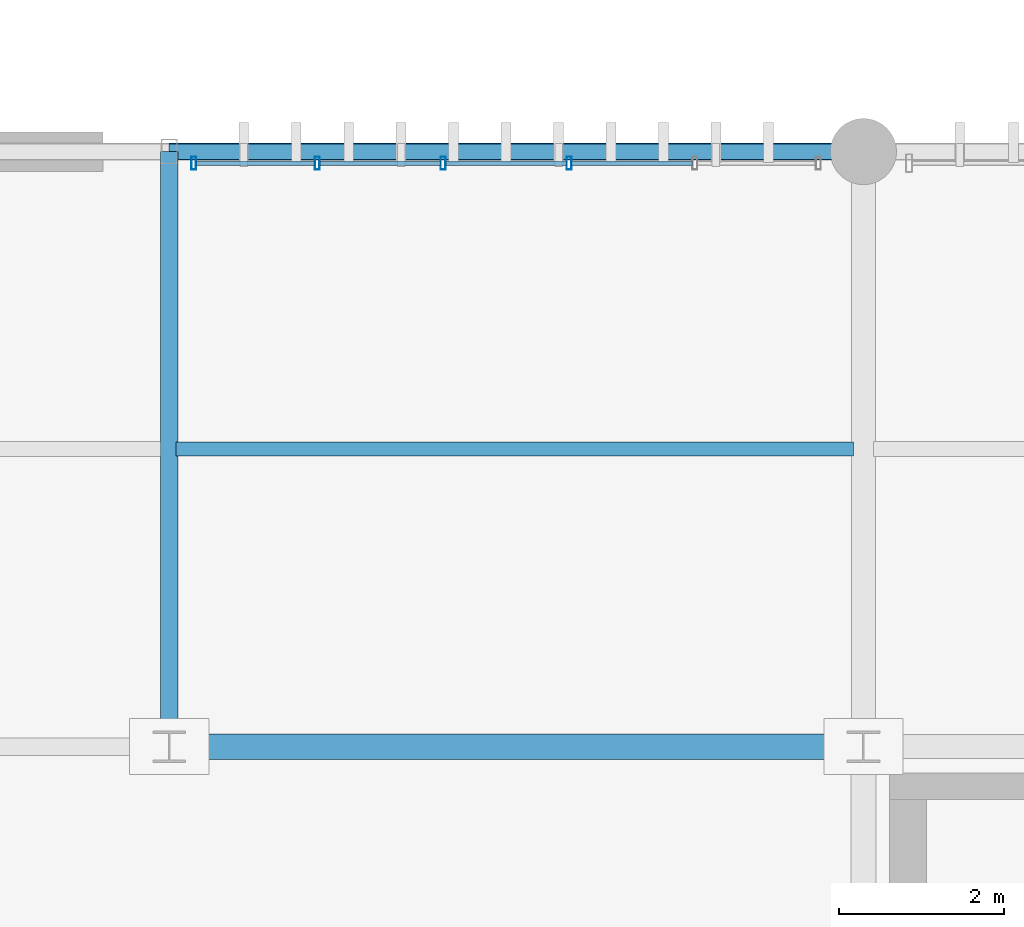
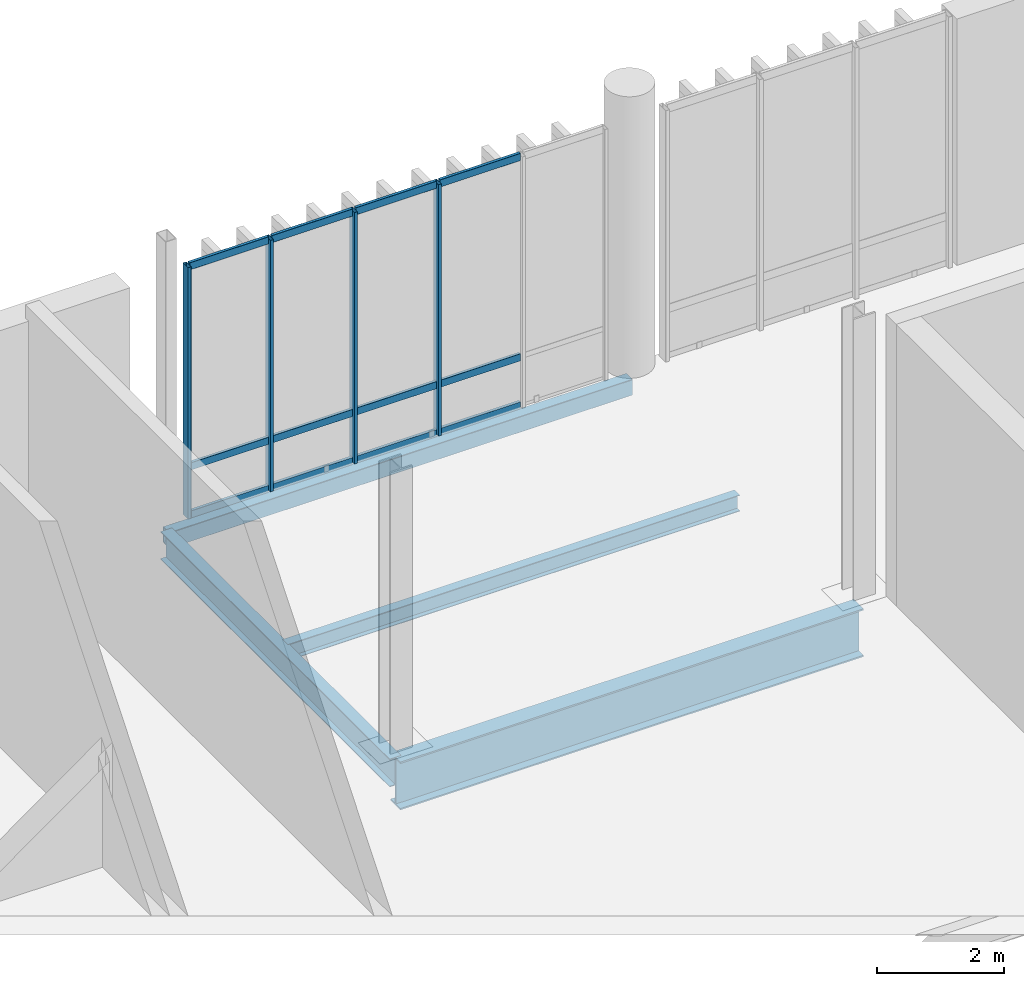
# One storey, part 50 of 112: 16 members, 4 beams, 1 element without a shape of its own.
"""IFC4 building model written with IfcOpenShell, lengths in metres."""

from ifc_helpers import new_model, si_unit, direction, frame, origin_with_axes, origin_2d_with_axis, place, context, subcontext, project, spatial, hollow_rectangle, i_section, extrude, material, material_profile, profile_set, type_object, element, aggregate, save


model = new_model("IFC4")

# Units and contexts
model_context = context("Model", 3, precision=1e-05, world=origin_with_axes(), true_north=direction((0.0, 1.0)))
body_context = subcontext(model_context, "Body", "Model", "MODEL_VIEW")
ifc_project = project(units=[si_unit("LENGTHUNIT", "METRE"), si_unit("AREAUNIT", "SQUARE_METRE"), si_unit("VOLUMEUNIT", "CUBIC_METRE"), si_unit("PLANEANGLEUNIT", "RADIAN"), si_unit("MASSUNIT", "GRAM", prefix="KILO"), si_unit("THERMODYNAMICTEMPERATUREUNIT", "KELVIN")], contexts=[model_context])

# Site, building, storey
site_placement = place(None, origin_with_axes())
site = spatial("IfcSite", under=ifc_project, at=site_placement, CompositionType="ELEMENT")
building_placement = place(site_placement, origin_with_axes())
building = spatial("IfcBuilding", under=site, at=building_placement, Name="Montbau Bow Law Courts", CompositionType="ELEMENT")
storey_placement = place(building_placement, origin_with_axes())
storey = spatial("IfcBuildingStorey", under=building, at=storey_placement, Name="L00", CompositionType="ELEMENT", Elevation=0.0)

# Beams
ifc_material_1 = material(Name="Steel CSA G40.21 Grade 350W (350 MPa)", Category="steel")
ifc_material_profile_1 = material_profile(ifc_material_1, i_section(OverallWidth=0.306, OverallDepth=0.919, WebThickness=0.0173, FlangeThickness=0.0279, at=origin_2d_with_axis()), Name="W920X253", Category="Main", Priority=0)
ifc_profile_set_1 = profile_set([ifc_material_profile_1], Name="Steel CSA G40.21 Grade 350W (350 MPa)")
beam_type_1 = type_object("IfcBeamType", Name="B-FLR-01", PredefinedType="BEAM", material=ifc_profile_set_1)
beam_1_placement = place(None, frame((72.0, 54.6, -0.7), z_axis=(1.0, 0.0, 0.0), x_axis=(0.0, 1.0, 0.0)))
element("IfcBeam", 1, at=beam_1_placement, inside=storey, type_object=beam_type_1, Name="BM-L00-S0217:bm2_0220", PredefinedType="BEAM", context=body_context, shape_type="SweptSolid", body=[
    extrude(i_section(OverallWidth=0.306, OverallDepth=0.919, WebThickness=0.0173, FlangeThickness=0.0279, at=origin_2d_with_axis()), origin_with_axes(), (0.0, 0.0, 1.0), 8.4),
])
ifc_material_profile_2 = material_profile(ifc_material_1, i_section(OverallWidth=0.21, OverallDepth=0.537, WebThickness=0.0109, FlangeThickness=0.0174, at=origin_2d_with_axis()), Name="W530X101", Category="Main", Priority=0)
ifc_profile_set_2 = profile_set([ifc_material_profile_2], Name="Steel CSA G40.21 Grade 350W (350 MPa)")
beam_type_2 = type_object("IfcBeamType", Name="B-FLR-06", PredefinedType="BEAM", material=ifc_profile_set_2)
beam_2_placement = place(None, frame((72.0, 54.6, -0.508), z_axis=(0.0, 1.0, 0.0), x_axis=(-1.0, 0.0, 0.0)))
element("IfcBeam", 2, at=beam_2_placement, inside=storey, type_object=beam_type_2, Name="BM-L00-S0292:bm2_0295", PredefinedType="BEAM", context=body_context, shape_type="SweptSolid", body=[
    extrude(i_section(OverallWidth=0.21, OverallDepth=0.537, WebThickness=0.0109, FlangeThickness=0.0174, at=origin_2d_with_axis()), origin_with_axes(), (0.0, 0.0, 1.0), 7.2),
])
ifc_material_profile_3 = material_profile(ifc_material_1, i_section(OverallWidth=0.166, OverallDepth=0.313, WebThickness=0.0066, FlangeThickness=0.0112, at=origin_2d_with_axis()), Name="W310X45", Category="Main", Priority=0)
ifc_profile_set_3 = profile_set([ifc_material_profile_3], Name="Steel CSA G40.21 Grade 350W (350 MPa)")
beam_type_3 = type_object("IfcBeamType", Name="B-JST-04", PredefinedType="JOIST", material=ifc_profile_set_3)
beam_3_placement = place(None, frame((72.081, 58.2, -0.396), z_axis=(1.0, 0.0, 0.0), x_axis=(0.0, 1.0, 0.0)))
element("IfcBeam", 3, at=beam_3_placement, inside=storey, type_object=beam_type_3, Name="JST-L00-S0079:jst2_0079", PredefinedType="JOIST", context=body_context, shape_type="SweptSolid", body=[
    extrude(i_section(OverallWidth=0.166, OverallDepth=0.313, WebThickness=0.0066, FlangeThickness=0.0112, at=origin_2d_with_axis()), origin_with_axes(), (0.0, 0.0, 1.0), 8.197),
])
ifc_material_2 = material(Name="Steel CSA G40.21 Grade 350WT (350 MPa)", Category="steel")
ifc_material_profile_4 = material_profile(ifc_material_2, hollow_rectangle(XDim=0.203, YDim=0.305, WallThickness=0.0127, InnerFilletRadius=0.0254, OuterFilletRadius=0.0127, at=origin_2d_with_axis()), Name="HSS305X203X13", Category="Main", Priority=0)
ifc_profile_set_4 = profile_set([ifc_material_profile_4], Name="Steel CSA G40.21 Grade 350WT (350 MPa)")
beam_type_4 = type_object("IfcBeamType", Name="B-SPN-02", PredefinedType="SPANDREL", material=ifc_profile_set_4)
beam_4_placement = place(None, frame((72.0, 61.8, -0.392), z_axis=(1.0, 0.0, 0.0), x_axis=(0.0, 1.0, 0.0)))
element("IfcBeam", 4, at=beam_4_placement, inside=storey, type_object=beam_type_4, Name="SPN-L00-S0230:bm2_0233", PredefinedType="SPANDREL", context=body_context, shape_type="SweptSolid", body=[
    extrude(hollow_rectangle(XDim=0.203, YDim=0.305, WallThickness=0.0127, InnerFilletRadius=0.0254, OuterFilletRadius=0.0127, at=origin_2d_with_axis()), origin_with_axes(), (0.0, 0.0, 1.0), 8.4),
])

# Curtain wall, members
ifc_material_3 = material(Name="Thermally Broken Extruded Aluminium AA 6063-T6", Category="aluminium")
curtain_wall_type = type_object("IfcCurtainWallType", Name="CW-CRM-01", PredefinedType="NOTDEFINED", material=ifc_material_3)
curtain_wall_placement = place(None, frame((72.267, 61.66, 0.0), z_axis=(0.0, 0.0, 1.0), x_axis=(1.0, 0.0, 0.0)))
curtain_wall = element("IfcCurtainWall", 5, at=curtain_wall_placement, inside=storey, type_object=curtain_wall_type, Name="CW-L00-131:cw_0131", PredefinedType="NOTDEFINED")
ifc_material_profile_5 = material_profile(ifc_material_3, hollow_rectangle(XDim=0.06, YDim=0.16, WallThickness=0.004, InnerFilletRadius=0.008, OuterFilletRadius=0.004, at=origin_2d_with_axis()), Name="CWM-160X60", Category="Main", Priority=0)
ifc_profile_set_5 = profile_set([ifc_material_profile_5], Name="Thermally Broken Extruded Aluminium AA 6063-T6")
member_type_1 = type_object("IfcMemberType", Name="M-MUL-03", PredefinedType="MULLION", material=ifc_profile_set_5)
member_1_placement = place(None, frame((72.297, 61.66, 0.0), z_axis=(0.0, 0.0, 1.0), x_axis=(1.0, 0.0, 0.0)))
member_1 = element("IfcMember", 6, at=member_1_placement, type_object=member_type_1, Name="CW-L00-131-M01:cw_0131_M01", PredefinedType="MULLION", context=body_context, shape_type="SweptSolid", body=[
    extrude(hollow_rectangle(XDim=0.06, YDim=0.16, WallThickness=0.004, InnerFilletRadius=0.008, OuterFilletRadius=0.004, at=origin_2d_with_axis()), origin_with_axes(), (0.0, 0.0, 1.0), 4.82),
])
member_2_placement = place(None, frame((73.791, 61.66, 0.0), z_axis=(0.0, 0.0, 1.0), x_axis=(1.0, 0.0, 0.0)))
member_2 = element("IfcMember", 7, at=member_2_placement, type_object=member_type_1, Name="CW-L00-131-M02:cw_0131_M02", PredefinedType="MULLION", context=body_context, shape_type="SweptSolid", body=[
    extrude(hollow_rectangle(XDim=0.06, YDim=0.16, WallThickness=0.004, InnerFilletRadius=0.008, OuterFilletRadius=0.004, at=origin_2d_with_axis()), origin_with_axes(), (0.0, 0.0, 1.0), 4.82),
])
member_3_placement = place(None, frame((75.314, 61.66, 0.0), z_axis=(0.0, 0.0, 1.0), x_axis=(1.0, 0.0, 0.0)))
member_3 = element("IfcMember", 8, at=member_3_placement, type_object=member_type_1, Name="CW-L00-131-M03:cw_0131_M03", PredefinedType="MULLION", context=body_context, shape_type="SweptSolid", body=[
    extrude(hollow_rectangle(XDim=0.06, YDim=0.16, WallThickness=0.004, InnerFilletRadius=0.008, OuterFilletRadius=0.004, at=origin_2d_with_axis()), origin_with_axes(), (0.0, 0.0, 1.0), 4.82),
])
member_4_placement = place(None, frame((76.838, 61.66, 0.0), z_axis=(0.0, 0.0, 1.0), x_axis=(1.0, 0.0, 0.0)))
member_4 = element("IfcMember", 9, at=member_4_placement, type_object=member_type_1, Name="CW-L00-131-M04:cw_0131_M04", PredefinedType="MULLION", context=body_context, shape_type="SweptSolid", body=[
    extrude(hollow_rectangle(XDim=0.06, YDim=0.16, WallThickness=0.004, InnerFilletRadius=0.008, OuterFilletRadius=0.004, at=origin_2d_with_axis()), origin_with_axes(), (0.0, 0.0, 1.0), 4.82),
])
ifc_material_profile_6 = material_profile(ifc_material_3, hollow_rectangle(XDim=0.055, YDim=0.14, WallThickness=0.004, InnerFilletRadius=0.008, OuterFilletRadius=0.004, at=origin_2d_with_axis()), Name="CWT-140X55", Category="Main", Priority=0)
ifc_profile_set_6 = profile_set([ifc_material_profile_6], Name="Thermally Broken Extruded Aluminium AA 6063-T6")
member_type_2 = type_object("IfcMemberType", Name="M-TRN-02", PredefinedType="USERDEFINED", material=ifc_profile_set_6)
member_5_placement = place(None, frame((72.329, 61.66, 0.028), z_axis=(1.0, 0.0, 0.0), x_axis=(0.0, 1.0, 0.0)))
member_5 = element("IfcMember", 10, at=member_5_placement, type_object=member_type_2, Name="CW-L00-131-T01-1:cw_0131_T01_1", ObjectType="TRANSOM", PredefinedType="USERDEFINED", context=body_context, shape_type="SweptSolid", body=[
    extrude(hollow_rectangle(XDim=0.055, YDim=0.14, WallThickness=0.004, InnerFilletRadius=0.008, OuterFilletRadius=0.004, at=origin_2d_with_axis()), origin_with_axes(), (0.0, 0.0, 1.0), 1.43),
])
member_6_placement = place(None, frame((72.329, 61.66, 0.95), z_axis=(1.0, 0.0, 0.0), x_axis=(0.0, 1.0, 0.0)))
member_6 = element("IfcMember", 11, at=member_6_placement, type_object=member_type_2, Name="CW-L00-131-T01-2:cw_0131_T01_2", ObjectType="TRANSOM", PredefinedType="USERDEFINED", context=body_context, shape_type="SweptSolid", body=[
    extrude(hollow_rectangle(XDim=0.055, YDim=0.14, WallThickness=0.004, InnerFilletRadius=0.008, OuterFilletRadius=0.004, at=origin_2d_with_axis()), origin_with_axes(), (0.0, 0.0, 1.0), 1.43),
])
member_7_placement = place(None, frame((72.329, 61.66, 4.793), z_axis=(1.0, 0.0, 0.0), x_axis=(0.0, 1.0, 0.0)))
member_7 = element("IfcMember", 12, at=member_7_placement, type_object=member_type_2, Name="CW-L00-131-T01-3:cw_0131_T01_3", ObjectType="TRANSOM", PredefinedType="USERDEFINED", context=body_context, shape_type="SweptSolid", body=[
    extrude(hollow_rectangle(XDim=0.055, YDim=0.14, WallThickness=0.004, InnerFilletRadius=0.008, OuterFilletRadius=0.004, at=origin_2d_with_axis()), origin_with_axes(), (0.0, 0.0, 1.0), 1.43),
])
member_8_placement = place(None, frame((73.823, 61.66, 0.028), z_axis=(1.0, 0.0, 0.0), x_axis=(0.0, 1.0, 0.0)))
member_8 = element("IfcMember", 13, at=member_8_placement, type_object=member_type_2, Name="CW-L00-131-T02-1:cw_0131_T02_1", ObjectType="TRANSOM", PredefinedType="USERDEFINED", context=body_context, shape_type="SweptSolid", body=[
    extrude(hollow_rectangle(XDim=0.055, YDim=0.14, WallThickness=0.004, InnerFilletRadius=0.008, OuterFilletRadius=0.004, at=origin_2d_with_axis()), origin_with_axes(), (0.0, 0.0, 1.0), 1.459),
])
member_9_placement = place(None, frame((73.823, 61.66, 0.95), z_axis=(1.0, 0.0, 0.0), x_axis=(0.0, 1.0, 0.0)))
member_9 = element("IfcMember", 14, at=member_9_placement, type_object=member_type_2, Name="CW-L00-131-T02-2:cw_0131_T02_2", ObjectType="TRANSOM", PredefinedType="USERDEFINED", context=body_context, shape_type="SweptSolid", body=[
    extrude(hollow_rectangle(XDim=0.055, YDim=0.14, WallThickness=0.004, InnerFilletRadius=0.008, OuterFilletRadius=0.004, at=origin_2d_with_axis()), origin_with_axes(), (0.0, 0.0, 1.0), 1.459),
])
member_10_placement = place(None, frame((73.823, 61.66, 4.793), z_axis=(1.0, 0.0, 0.0), x_axis=(0.0, 1.0, 0.0)))
member_10 = element("IfcMember", 15, at=member_10_placement, type_object=member_type_2, Name="CW-L00-131-T02-3:cw_0131_T02_3", ObjectType="TRANSOM", PredefinedType="USERDEFINED", context=body_context, shape_type="SweptSolid", body=[
    extrude(hollow_rectangle(XDim=0.055, YDim=0.14, WallThickness=0.004, InnerFilletRadius=0.008, OuterFilletRadius=0.004, at=origin_2d_with_axis()), origin_with_axes(), (0.0, 0.0, 1.0), 1.459),
])
member_11_placement = place(None, frame((75.346, 61.66, 0.028), z_axis=(1.0, 0.0, 0.0), x_axis=(0.0, 1.0, 0.0)))
member_11 = element("IfcMember", 16, at=member_11_placement, type_object=member_type_2, Name="CW-L00-131-T03-1:cw_0131_T03_1", ObjectType="TRANSOM", PredefinedType="USERDEFINED", context=body_context, shape_type="SweptSolid", body=[
    extrude(hollow_rectangle(XDim=0.055, YDim=0.14, WallThickness=0.004, InnerFilletRadius=0.008, OuterFilletRadius=0.004, at=origin_2d_with_axis()), origin_with_axes(), (0.0, 0.0, 1.0), 1.46),
])
member_12_placement = place(None, frame((75.346, 61.66, 0.95), z_axis=(1.0, 0.0, 0.0), x_axis=(0.0, 1.0, 0.0)))
member_12 = element("IfcMember", 17, at=member_12_placement, type_object=member_type_2, Name="CW-L00-131-T03-2:cw_0131_T03_2", ObjectType="TRANSOM", PredefinedType="USERDEFINED", context=body_context, shape_type="SweptSolid", body=[
    extrude(hollow_rectangle(XDim=0.055, YDim=0.14, WallThickness=0.004, InnerFilletRadius=0.008, OuterFilletRadius=0.004, at=origin_2d_with_axis()), origin_with_axes(), (0.0, 0.0, 1.0), 1.46),
])
member_13_placement = place(None, frame((75.346, 61.66, 4.793), z_axis=(1.0, 0.0, 0.0), x_axis=(0.0, 1.0, 0.0)))
member_13 = element("IfcMember", 18, at=member_13_placement, type_object=member_type_2, Name="CW-L00-131-T03-3:cw_0131_T03_3", ObjectType="TRANSOM", PredefinedType="USERDEFINED", context=body_context, shape_type="SweptSolid", body=[
    extrude(hollow_rectangle(XDim=0.055, YDim=0.14, WallThickness=0.004, InnerFilletRadius=0.008, OuterFilletRadius=0.004, at=origin_2d_with_axis()), origin_with_axes(), (0.0, 0.0, 1.0), 1.46),
])
member_14_placement = place(None, frame((76.87, 61.66, 0.028), z_axis=(1.0, 0.0, 0.0), x_axis=(0.0, 1.0, 0.0)))
member_14 = element("IfcMember", 19, at=member_14_placement, type_object=member_type_2, Name="CW-L00-131-T04-1:cw_0131_T04_1", ObjectType="TRANSOM", PredefinedType="USERDEFINED", context=body_context, shape_type="SweptSolid", body=[
    extrude(hollow_rectangle(XDim=0.055, YDim=0.14, WallThickness=0.004, InnerFilletRadius=0.008, OuterFilletRadius=0.004, at=origin_2d_with_axis()), origin_with_axes(), (0.0, 0.0, 1.0), 1.459),
])
member_15_placement = place(None, frame((76.87, 61.66, 0.95), z_axis=(1.0, 0.0, 0.0), x_axis=(0.0, 1.0, 0.0)))
member_15 = element("IfcMember", 20, at=member_15_placement, type_object=member_type_2, Name="CW-L00-131-T04-2:cw_0131_T04_2", ObjectType="TRANSOM", PredefinedType="USERDEFINED", context=body_context, shape_type="SweptSolid", body=[
    extrude(hollow_rectangle(XDim=0.055, YDim=0.14, WallThickness=0.004, InnerFilletRadius=0.008, OuterFilletRadius=0.004, at=origin_2d_with_axis()), origin_with_axes(), (0.0, 0.0, 1.0), 1.459),
])
member_16_placement = place(None, frame((76.87, 61.66, 4.793), z_axis=(1.0, 0.0, 0.0), x_axis=(0.0, 1.0, 0.0)))
member_16 = element("IfcMember", 21, at=member_16_placement, type_object=member_type_2, Name="CW-L00-131-T04-3:cw_0131_T04_3", ObjectType="TRANSOM", PredefinedType="USERDEFINED", context=body_context, shape_type="SweptSolid", body=[
    extrude(hollow_rectangle(XDim=0.055, YDim=0.14, WallThickness=0.004, InnerFilletRadius=0.008, OuterFilletRadius=0.004, at=origin_2d_with_axis()), origin_with_axes(), (0.0, 0.0, 1.0), 1.459),
])
aggregate(curtain_wall, [member_1, member_2, member_3, member_4, member_5, member_6, member_7, member_8, member_9, member_10, member_11, member_12, member_13, member_14, member_15, member_16])

save(model, "model.ifc")
